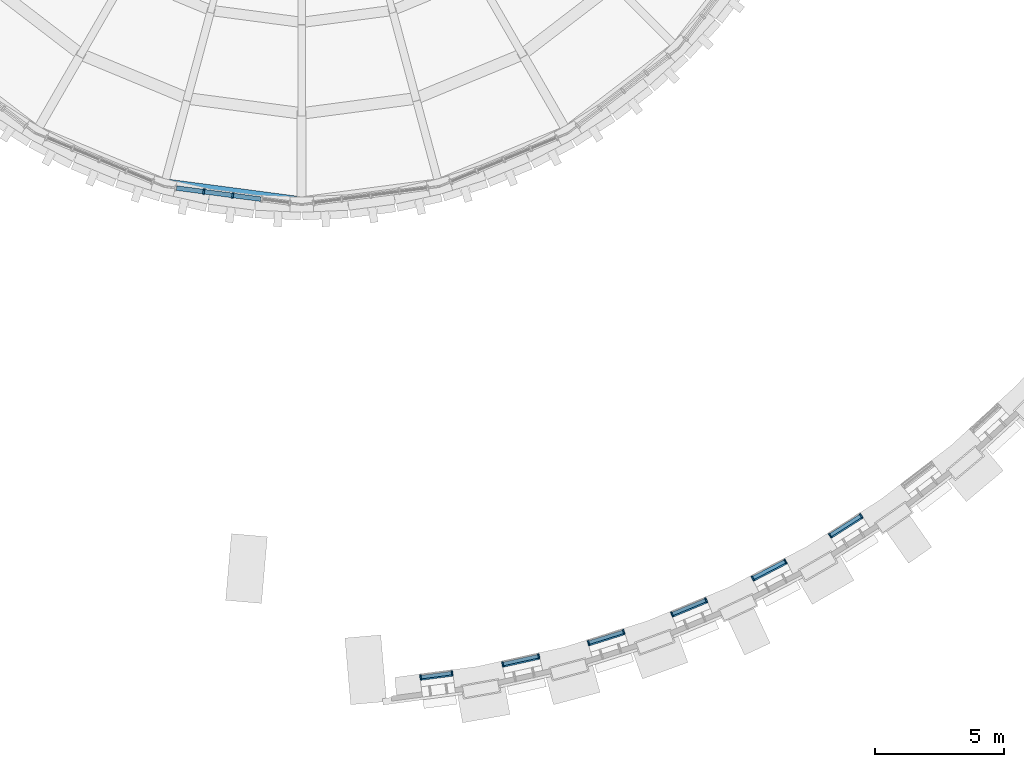
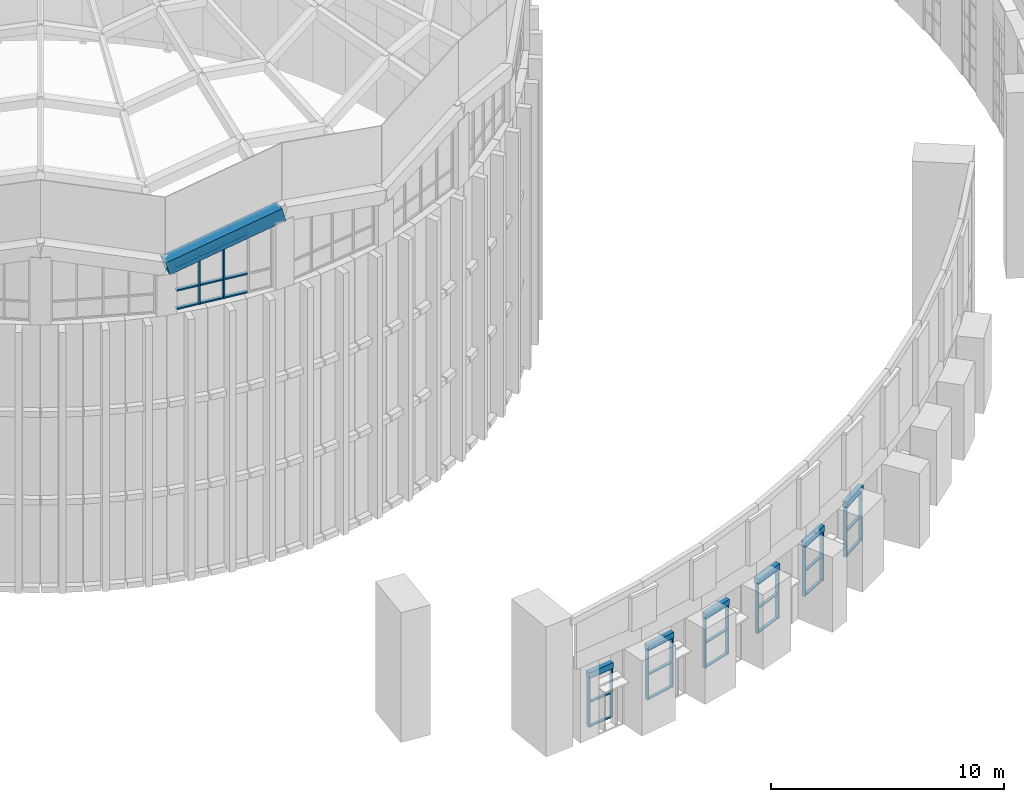
# One storey, part 5 of 82: 41 members, 7 beams, 7 elements without a shape of their own.
"""IFC4 building model written with IfcOpenShell, lengths in metres."""

from ifc_helpers import new_model, si_unit, direction, frame, origin, origin_2d, place, context, subcontext, project, spatial, rectangle, extrude, material, layer, layer_set, material_profile, profile_set, type_object, element, aggregate, save


model = new_model("IFC4")

# Units and contexts
model_context = context("Model", 3, precision=1e-05, world=origin(), true_north=direction((0.0, 1.0)))
body_context = subcontext(model_context, "Body", "Model", "MODEL_VIEW")
ifc_project = project(units=[si_unit("LENGTHUNIT", "METRE"), si_unit("AREAUNIT", "SQUARE_METRE"), si_unit("VOLUMEUNIT", "CUBIC_METRE"), si_unit("PLANEANGLEUNIT", "RADIAN"), si_unit("MASSUNIT", "GRAM", prefix="KILO")], contexts=[model_context])

# Site, building, storey
site_placement = place(None, origin())
site = spatial("IfcSite", under=ifc_project, at=site_placement, CompositionType="ELEMENT")
building_placement = place(site_placement, origin())
building = spatial("IfcBuilding", under=site, at=building_placement, Name="Volute Hill Aquarium", CompositionType="ELEMENT")
storey_placement = place(building_placement, frame((0.0, 0.0, 13.800048828125)))
storey = spatial("IfcBuildingStorey", under=building, at=storey_placement, Name="L04", CompositionType="ELEMENT", Elevation=13.800048828125)

# Curtain wall, members
ifc_material_1 = material(Name="Aluminium", Category="aluminium")
ifc_layer_1 = layer(ifc_material_1, 0.25)
ifc_layer_set_1 = layer_set([ifc_layer_1], Name="Curtain wall niche S3 module 1289")
curtain_wall_type_1 = type_object("IfcCurtainWallType", Name="Curtain wall niche S3 module 1289", PredefinedType="NOTDEFINED", material=ifc_layer_set_1)
curtain_wall_1_placement = place(storey_placement, origin())
curtain_wall_1 = element("IfcCurtainWall", 1, at=curtain_wall_1_placement, inside=storey, type_object=curtain_wall_type_1, Name="Curtain wall CW S3 L04 1", PredefinedType="NOTDEFINED")
ifc_material_2 = material(Name="Aluminium", Category="aluminium")
ifc_material_profile_1 = material_profile(ifc_material_2, rectangle(XDim=0.179931640625, YDim=0.06005859375, at=origin_2d()), Name="Curtain wall mullion S3 60x180")
ifc_profile_set_1 = profile_set([ifc_material_profile_1], Name="Aluminium")
member_type_1 = type_object("IfcMemberType", Name="Curtain wall mullion S3 60x180", PredefinedType="MULLION", material=ifc_profile_set_1)
member_1_placement = place(storey_placement, frame((4.62451171875, -39.06787109375, 0.0), z_axis=(0.0, 0.0, 1.0), x_axis=(-0.130506486875, 0.991447455432, 0.0)))
member_1 = element("IfcMember", 2, at=member_1_placement, type_object=member_type_1, Name="CW mullion 1", PredefinedType="MULLION", context=body_context, shape_type="SweptSolid", body=[
    extrude(rectangle(XDim=0.179931640625, YDim=0.06005859375, at=origin_2d()), origin(), (0.0, 0.0, 1.0), 2.59716796875),
])
member_2_placement = place(storey_placement, frame((5.843017578125, -38.907470703125, 0.0), z_axis=(0.0, 0.0, 1.0), x_axis=(-0.130506486875, 0.991447455432, 0.0)))
member_2 = element("IfcMember", 3, at=member_2_placement, type_object=member_type_1, Name="CW mullion 2", PredefinedType="MULLION", context=body_context, shape_type="SweptSolid", body=[
    extrude(rectangle(XDim=0.179931640625, YDim=0.06005859375, at=origin_2d()), origin(), (0.0, 0.0, 1.0), 2.59716796875),
])

ifc_material_3 = material(Name="Aluminium", Category="aluminium")
ifc_layer_2 = layer(ifc_material_3, 0.25)
ifc_layer_set_2 = layer_set([ifc_layer_2], Name="Curtain wall niche S3 module 1489")
curtain_wall_type_2 = type_object("IfcCurtainWallType", Name="Curtain wall niche S3 module 1489", PredefinedType="NOTDEFINED", material=ifc_layer_set_2)
curtain_wall_2_placement = place(storey_placement, origin())
curtain_wall_2 = element("IfcCurtainWall", 4, at=curtain_wall_2_placement, inside=storey, type_object=curtain_wall_type_2, Name="Curtain wall CW S3 L04 2", PredefinedType="NOTDEFINED")
member_3_placement = place(storey_placement, frame((7.81640625, -38.5595703125, 0.0), z_axis=(0.0, 0.0, 1.0), x_axis=(-0.216429178819, 0.976298320472, 0.0)))
member_3 = element("IfcMember", 5, at=member_3_placement, type_object=member_type_1, Name="CW mullion 1", PredefinedType="MULLION", context=body_context, shape_type="SweptSolid", body=[
    extrude(rectangle(XDim=0.179931640625, YDim=0.06005859375, at=origin_2d()), origin(), (0.0, 0.0, 1.0), 2.607421875),
])
member_4_placement = place(storey_placement, frame((9.211669921875, -38.250244140625, 0.0), z_axis=(0.0, 0.0, 1.0), x_axis=(-0.216429178819, 0.976298320472, 0.0)))
member_4 = element("IfcMember", 6, at=member_4_placement, type_object=member_type_1, Name="CW mullion 2", PredefinedType="MULLION", context=body_context, shape_type="SweptSolid", body=[
    extrude(rectangle(XDim=0.179931640625, YDim=0.06005859375, at=origin_2d()), origin(), (0.0, 0.0, 1.0), 2.607421875),
])

curtain_wall_3_placement = place(storey_placement, origin())
curtain_wall_3 = element("IfcCurtainWall", 7, at=curtain_wall_3_placement, inside=storey, type_object=curtain_wall_type_2, Name="Curtain wall CW S3 L04 3", PredefinedType="NOTDEFINED")
member_5_placement = place(storey_placement, frame((11.147216796875, -37.7314453125, 0.0), z_axis=(0.0, 0.0, 1.0), x_axis=(-0.300712597453, 0.953714807337, 0.0)))
member_5 = element("IfcMember", 8, at=member_5_placement, type_object=member_type_1, Name="CW mullion 1", PredefinedType="MULLION", context=body_context, shape_type="SweptSolid", body=[
    extrude(rectangle(XDim=0.179931640625, YDim=0.06005859375, at=origin_2d()), origin(), (0.0, 0.0, 1.0), 2.594970703125),
])
member_6_placement = place(storey_placement, frame((12.510498046875, -37.3017578125, 0.0), z_axis=(0.0, 0.0, 1.0), x_axis=(-0.300712597453, 0.953714807337, 0.0)))
member_6 = element("IfcMember", 9, at=member_6_placement, type_object=member_type_1, Name="CW mullion 2", PredefinedType="MULLION", context=body_context, shape_type="SweptSolid", body=[
    extrude(rectangle(XDim=0.179931640625, YDim=0.06005859375, at=origin_2d()), origin(), (0.0, 0.0, 1.0), 2.594970703125),
])

curtain_wall_4_placement = place(storey_placement, origin())
curtain_wall_4 = element("IfcCurtainWall", 10, at=curtain_wall_4_placement, inside=storey, type_object=curtain_wall_type_2, Name="Curtain wall CW S3 L04 4", PredefinedType="NOTDEFINED")
member_7_placement = place(storey_placement, frame((14.3935546875, -36.6162109375, 0.0), z_axis=(0.0, 0.0, 1.0), x_axis=(-0.382692594649, 0.923875737316, 0.0)))
member_7 = element("IfcMember", 11, at=member_7_placement, type_object=member_type_1, Name="CW mullion 1", PredefinedType="MULLION", context=body_context, shape_type="SweptSolid", body=[
    extrude(rectangle(XDim=0.179931640625, YDim=0.06005859375, at=origin_2d()), origin(), (0.0, 0.0, 1.0), 2.594970703125),
])
member_8_placement = place(storey_placement, frame((15.7138671875, -36.0693359375, 0.0), z_axis=(0.0, 0.0, 1.0), x_axis=(-0.382692594649, 0.923875737316, 0.0)))
member_8 = element("IfcMember", 12, at=member_8_placement, type_object=member_type_1, Name="CW mullion 2", PredefinedType="MULLION", context=body_context, shape_type="SweptSolid", body=[
    extrude(rectangle(XDim=0.179931640625, YDim=0.06005859375, at=origin_2d()), origin(), (0.0, 0.0, 1.0), 2.594970703125),
])

curtain_wall_5_placement = place(storey_placement, origin())
curtain_wall_5 = element("IfcCurtainWall", 13, at=curtain_wall_5_placement, inside=storey, type_object=curtain_wall_type_2, Name="Curtain wall CW S3 L04 5", PredefinedType="NOTDEFINED")
member_9_placement = place(storey_placement, frame((17.530029296875, -35.222412109375, 0.0), z_axis=(0.0, 0.0, 1.0), x_axis=(-0.461744254001, 0.887013102438, 0.0)))
member_9 = element("IfcMember", 14, at=member_9_placement, type_object=member_type_1, Name="CW mullion 1", PredefinedType="MULLION", context=body_context, shape_type="SweptSolid", body=[
    extrude(rectangle(XDim=0.179931640625, YDim=0.06005859375, at=origin_2d()), origin(), (0.0, 0.0, 1.0), 2.594970703125),
])
member_10_placement = place(storey_placement, frame((18.797607421875, -34.5625, 0.0), z_axis=(0.0, 0.0, 1.0), x_axis=(-0.461744254001, 0.887013102438, 0.0)))
member_10 = element("IfcMember", 15, at=member_10_placement, type_object=member_type_1, Name="CW mullion 2", PredefinedType="MULLION", context=body_context, shape_type="SweptSolid", body=[
    extrude(rectangle(XDim=0.179931640625, YDim=0.06005859375, at=origin_2d()), origin(), (0.0, 0.0, 1.0), 2.594970703125),
])

curtain_wall_6_placement = place(storey_placement, origin())
curtain_wall_6 = element("IfcCurtainWall", 16, at=curtain_wall_6_placement, inside=storey, type_object=curtain_wall_type_2, Name="Curtain wall CW S3 L04 6", PredefinedType="NOTDEFINED")
member_11_placement = place(storey_placement, frame((20.533203125, -33.560546875, 0.0), z_axis=(0.0, 0.0, 1.0), x_axis=(-0.53730730935, 0.843386539683, 0.0)))
member_11 = element("IfcMember", 17, at=member_11_placement, type_object=member_type_1, Name="CW mullion 1", PredefinedType="MULLION", context=body_context, shape_type="SweptSolid", body=[
    extrude(rectangle(XDim=0.179931640625, YDim=0.06005859375, at=origin_2d()), origin(), (0.0, 0.0, 1.0), 2.594970703125),
])
member_12_placement = place(storey_placement, frame((21.738525390625, -32.792724609375, 0.0), z_axis=(0.0, 0.0, 1.0), x_axis=(-0.53730730935, 0.843386539683, 0.0)))
member_12 = element("IfcMember", 18, at=member_12_placement, type_object=member_type_1, Name="CW mullion 2", PredefinedType="MULLION", context=body_context, shape_type="SweptSolid", body=[
    extrude(rectangle(XDim=0.179931640625, YDim=0.06005859375, at=origin_2d()), origin(), (0.0, 0.0, 1.0), 2.594970703125),
])

ifc_material_4 = material(Name="Aluminium", Category="aluminium")
ifc_layer_3 = layer(ifc_material_4, 0.219970703125)
ifc_layer_set_3 = layer_set([ifc_layer_3], Name="Curtain wall DR clerestory module 1134")
curtain_wall_type_3 = type_object("IfcCurtainWallType", Name="Curtain wall DR clerestory module 1134", PredefinedType="NOTDEFINED", material=ifc_layer_set_3)
curtain_wall_7_placement = place(storey_placement, origin())
curtain_wall_7 = element("IfcCurtainWall", 19, at=curtain_wall_7_placement, inside=storey, type_object=curtain_wall_type_3, Name="Curtain wall CW DR clerestory c17", PredefinedType="NOTDEFINED")
ifc_material_5 = material(Name="Aluminium", Category="aluminium")
ifc_material_profile_2 = material_profile(ifc_material_5, rectangle(XDim=0.219970703125, YDim=0.070068359375, at=origin_2d()), Name="Curtain wall mullion clerestory 70x220")
ifc_profile_set_2 = profile_set([ifc_material_profile_2], Name="Aluminium")
member_type_2 = type_object("IfcMemberType", Name="Curtain wall mullion clerestory 70x220", PredefinedType="MULLION", material=ifc_profile_set_2)
member_13_placement = place(storey_placement, frame((-3.80322265625, -20.19921875, 13.699951171875), z_axis=(0.0, 0.0, 1.0), x_axis=(0.130518657667, 0.991445853287, 0.0)))
member_13 = element("IfcMember", 20, at=member_13_placement, type_object=member_type_2, Name="Mullion DR clerestory 2", PredefinedType="MULLION", context=body_context, shape_type="SweptSolid", body=[
    extrude(rectangle(XDim=0.219970703125, YDim=0.070068359375, at=origin_2d()), origin(), (0.0, 0.0, 1.0), 2.533447265625),
])
member_14_placement = place(storey_placement, frame((-2.6787109375, -20.347412109375, 13.699951171875), z_axis=(0.0, 0.0, 1.0), x_axis=(0.130518657667, 0.991445853287, 0.0)))
member_14 = element("IfcMember", 21, at=member_14_placement, type_object=member_type_2, Name="Mullion DR clerestory 3", PredefinedType="MULLION", context=body_context, shape_type="SweptSolid", body=[
    extrude(rectangle(XDim=0.219970703125, YDim=0.070068359375, at=origin_2d()), origin(), (0.0, 0.0, 1.0), 2.827392578125),
])

# Member
ifc_material_6 = material(Name="Aluminium", Category="aluminium")
ifc_material_profile_3 = material_profile(ifc_material_6, rectangle(XDim=0.139892578125, YDim=0.06005859375, at=origin_2d()), Name="Curtain wall transom S3 60x140")
ifc_profile_set_3 = profile_set([ifc_material_profile_3], Name="Aluminium")
member_type_3 = type_object("IfcMemberType", Name="Curtain wall transom S3 60x140", PredefinedType="USERDEFINED", material=ifc_profile_set_3)
member_15_placement = place(storey_placement, frame((4.654296875, -39.06396484375, 0.030029296875), z_axis=(0.991443629013, 0.130535552588, 0.0), x_axis=(-0.130535552588, 0.991443629013, 0.0)))
member_15 = element("IfcMember", 22, at=member_15_placement, type_object=member_type_3, Name="CW transom 1.1", ObjectType="TRANSOM", PredefinedType="USERDEFINED", context=body_context, shape_type="SweptSolid", body=[
    extrude(rectangle(XDim=0.139892578125, YDim=0.06005859375, at=origin_2d()), origin(), (0.0, 0.0, 1.0), 1.1689453125),
])

member_16_placement = place(storey_placement, frame((4.654296875, -39.06396484375, 1.298583984375), z_axis=(0.991443629013, 0.130535552588, 0.0), x_axis=(-0.130535552588, 0.991443629013, 0.0)))
member_16 = element("IfcMember", 23, at=member_16_placement, type_object=member_type_3, Name="CW transom 1.2", ObjectType="TRANSOM", PredefinedType="USERDEFINED", context=body_context, shape_type="SweptSolid", body=[
    extrude(rectangle(XDim=0.139892578125, YDim=0.06005859375, at=origin_2d()), origin(), (0.0, 0.0, 1.0), 1.1689453125),
])

member_17_placement = place(storey_placement, frame((4.654296875, -39.06396484375, 2.567138671875), z_axis=(0.991443629013, 0.130535552588, 0.0), x_axis=(-0.130535552588, 0.991443629013, 0.0)))
member_17 = element("IfcMember", 24, at=member_17_placement, type_object=member_type_3, Name="CW transom 1.3", ObjectType="TRANSOM", PredefinedType="USERDEFINED", context=body_context, shape_type="SweptSolid", body=[
    extrude(rectangle(XDim=0.139892578125, YDim=0.06005859375, at=origin_2d()), origin(), (0.0, 0.0, 1.0), 1.1689453125),
])

aggregate(curtain_wall_1, [member_1, member_2, member_15, member_16, member_17])

member_18_placement = place(storey_placement, frame((7.845703125, -38.552978515625, 0.030029296875), z_axis=(0.976287651886, 0.216477298519, 0.0), x_axis=(-0.216477298519, 0.976287651886, 0.0)))
member_18 = element("IfcMember", 25, at=member_18_placement, type_object=member_type_3, Name="CW transom 1.1", ObjectType="TRANSOM", PredefinedType="USERDEFINED", context=body_context, shape_type="SweptSolid", body=[
    extrude(rectangle(XDim=0.139892578125, YDim=0.06005859375, at=origin_2d()), origin(), (0.0, 0.0, 1.0), 1.369140625),
])

member_19_placement = place(storey_placement, frame((7.845703125, -38.552978515625, 1.3037109375), z_axis=(0.976287651886, 0.216477298519, 0.0), x_axis=(-0.216477298519, 0.976287651886, 0.0)))
member_19 = element("IfcMember", 26, at=member_19_placement, type_object=member_type_3, Name="CW transom 1.2", ObjectType="TRANSOM", PredefinedType="USERDEFINED", context=body_context, shape_type="SweptSolid", body=[
    extrude(rectangle(XDim=0.139892578125, YDim=0.06005859375, at=origin_2d()), origin(), (0.0, 0.0, 1.0), 1.369140625),
])

member_20_placement = place(storey_placement, frame((7.845703125, -38.552978515625, 2.577392578125), z_axis=(0.976287651886, 0.216477298519, 0.0), x_axis=(-0.216477298519, 0.976287651886, 0.0)))
member_20 = element("IfcMember", 27, at=member_20_placement, type_object=member_type_3, Name="CW transom 1.3", ObjectType="TRANSOM", PredefinedType="USERDEFINED", context=body_context, shape_type="SweptSolid", body=[
    extrude(rectangle(XDim=0.139892578125, YDim=0.06005859375, at=origin_2d()), origin(), (0.0, 0.0, 1.0), 1.369140625),
])

aggregate(curtain_wall_2, [member_3, member_4, member_18, member_19, member_20])

member_21_placement = place(storey_placement, frame((11.176025390625, -37.722412109375, 0.030029296875), z_axis=(0.953728095538, 0.300670450463, 0.0), x_axis=(-0.300670450463, 0.953728095538, 0.0)))
member_21 = element("IfcMember", 28, at=member_21_placement, type_object=member_type_3, Name="CW transom 1.1", ObjectType="TRANSOM", PredefinedType="USERDEFINED", context=body_context, shape_type="SweptSolid", body=[
    extrude(rectangle(XDim=0.139892578125, YDim=0.06005859375, at=origin_2d()), origin(), (0.0, 0.0, 1.0), 1.368896484375),
])

member_22_placement = place(storey_placement, frame((11.176025390625, -37.722412109375, 1.29736328125), z_axis=(0.953728095538, 0.300670450463, 0.0), x_axis=(-0.300670450463, 0.953728095538, 0.0)))
member_22 = element("IfcMember", 29, at=member_22_placement, type_object=member_type_3, Name="CW transom 1.2", ObjectType="TRANSOM", PredefinedType="USERDEFINED", context=body_context, shape_type="SweptSolid", body=[
    extrude(rectangle(XDim=0.139892578125, YDim=0.06005859375, at=origin_2d()), origin(), (0.0, 0.0, 1.0), 1.368896484375),
])

member_23_placement = place(storey_placement, frame((11.176025390625, -37.722412109375, 2.56494140625), z_axis=(0.953728095538, 0.300670450463, 0.0), x_axis=(-0.300670450463, 0.953728095538, 0.0)))
member_23 = element("IfcMember", 30, at=member_23_placement, type_object=member_type_3, Name="CW transom 1.3", ObjectType="TRANSOM", PredefinedType="USERDEFINED", context=body_context, shape_type="SweptSolid", body=[
    extrude(rectangle(XDim=0.139892578125, YDim=0.06005859375, at=origin_2d()), origin(), (0.0, 0.0, 1.0), 1.368896484375),
])

aggregate(curtain_wall_3, [member_5, member_6, member_21, member_22, member_23])

member_24_placement = place(storey_placement, frame((14.421142578125, -36.604736328125, 0.030029296875), z_axis=(0.923908190995, 0.382614237336, 0.0), x_axis=(-0.382614237336, 0.923908190995, 0.0)))
member_24 = element("IfcMember", 31, at=member_24_placement, type_object=member_type_3, Name="CW transom 1.1", ObjectType="TRANSOM", PredefinedType="USERDEFINED", context=body_context, shape_type="SweptSolid", body=[
    extrude(rectangle(XDim=0.139892578125, YDim=0.06005859375, at=origin_2d()), origin(), (0.0, 0.0, 1.0), 1.369384765625),
])

member_25_placement = place(storey_placement, frame((14.421142578125, -36.604736328125, 1.29736328125), z_axis=(0.923908190995, 0.382614237336, 0.0), x_axis=(-0.382614237336, 0.923908190995, 0.0)))
member_25 = element("IfcMember", 32, at=member_25_placement, type_object=member_type_3, Name="CW transom 1.2", ObjectType="TRANSOM", PredefinedType="USERDEFINED", context=body_context, shape_type="SweptSolid", body=[
    extrude(rectangle(XDim=0.139892578125, YDim=0.06005859375, at=origin_2d()), origin(), (0.0, 0.0, 1.0), 1.369384765625),
])

member_26_placement = place(storey_placement, frame((14.421142578125, -36.604736328125, 2.56494140625), z_axis=(0.923908190995, 0.382614237336, 0.0), x_axis=(-0.382614237336, 0.923908190995, 0.0)))
member_26 = element("IfcMember", 33, at=member_26_placement, type_object=member_type_3, Name="CW transom 1.3", ObjectType="TRANSOM", PredefinedType="USERDEFINED", context=body_context, shape_type="SweptSolid", body=[
    extrude(rectangle(XDim=0.139892578125, YDim=0.06005859375, at=origin_2d()), origin(), (0.0, 0.0, 1.0), 1.369384765625),
])

aggregate(curtain_wall_4, [member_7, member_8, member_24, member_25, member_26])

member_27_placement = place(storey_placement, frame((17.556640625, -35.208740234375, 0.030029296875), z_axis=(0.886959740266, 0.46184674855, 0.0), x_axis=(-0.46184674855, 0.886959740266, 0.0)))
member_27 = element("IfcMember", 34, at=member_27_placement, type_object=member_type_3, Name="CW transom 1.1", ObjectType="TRANSOM", PredefinedType="USERDEFINED", context=body_context, shape_type="SweptSolid", body=[
    extrude(rectangle(XDim=0.139892578125, YDim=0.06005859375, at=origin_2d()), origin(), (0.0, 0.0, 1.0), 1.369140625),
])

member_28_placement = place(storey_placement, frame((17.556640625, -35.208740234375, 1.29736328125), z_axis=(0.886959740266, 0.46184674855, 0.0), x_axis=(-0.46184674855, 0.886959740266, 0.0)))
member_28 = element("IfcMember", 35, at=member_28_placement, type_object=member_type_3, Name="CW transom 1.2", ObjectType="TRANSOM", PredefinedType="USERDEFINED", context=body_context, shape_type="SweptSolid", body=[
    extrude(rectangle(XDim=0.139892578125, YDim=0.06005859375, at=origin_2d()), origin(), (0.0, 0.0, 1.0), 1.369140625),
])

member_29_placement = place(storey_placement, frame((17.556640625, -35.208740234375, 2.56494140625), z_axis=(0.886959740266, 0.46184674855, 0.0), x_axis=(-0.46184674855, 0.886959740266, 0.0)))
member_29 = element("IfcMember", 36, at=member_29_placement, type_object=member_type_3, Name="CW transom 1.3", ObjectType="TRANSOM", PredefinedType="USERDEFINED", context=body_context, shape_type="SweptSolid", body=[
    extrude(rectangle(XDim=0.139892578125, YDim=0.06005859375, at=origin_2d()), origin(), (0.0, 0.0, 1.0), 1.369140625),
])

aggregate(curtain_wall_5, [member_9, member_10, member_27, member_28, member_29])

member_30_placement = place(storey_placement, frame((20.558349609375, -33.54443359375, 0.030029296875), z_axis=(0.843419106312, 0.537256187594, 0.0), x_axis=(-0.537256187594, 0.843419106312, 0.0)))
member_30 = element("IfcMember", 37, at=member_30_placement, type_object=member_type_3, Name="CW transom 1.1", ObjectType="TRANSOM", PredefinedType="USERDEFINED", context=body_context, shape_type="SweptSolid", body=[
    extrude(rectangle(XDim=0.139892578125, YDim=0.06005859375, at=origin_2d()), origin(), (0.0, 0.0, 1.0), 1.369140625),
])

member_31_placement = place(storey_placement, frame((20.558349609375, -33.54443359375, 1.29736328125), z_axis=(0.843419106312, 0.537256187594, 0.0), x_axis=(-0.537256187594, 0.843419106312, 0.0)))
member_31 = element("IfcMember", 38, at=member_31_placement, type_object=member_type_3, Name="CW transom 1.2", ObjectType="TRANSOM", PredefinedType="USERDEFINED", context=body_context, shape_type="SweptSolid", body=[
    extrude(rectangle(XDim=0.139892578125, YDim=0.06005859375, at=origin_2d()), origin(), (0.0, 0.0, 1.0), 1.369140625),
])

member_32_placement = place(storey_placement, frame((20.558349609375, -33.54443359375, 2.56494140625), z_axis=(0.843419106312, 0.537256187594, 0.0), x_axis=(-0.537256187594, 0.843419106312, 0.0)))
member_32 = element("IfcMember", 39, at=member_32_placement, type_object=member_type_3, Name="CW transom 1.3", ObjectType="TRANSOM", PredefinedType="USERDEFINED", context=body_context, shape_type="SweptSolid", body=[
    extrude(rectangle(XDim=0.139892578125, YDim=0.06005859375, at=origin_2d()), origin(), (0.0, 0.0, 1.0), 1.369140625),
])

aggregate(curtain_wall_6, [member_11, member_12, member_30, member_31, member_32])

ifc_material_7 = material(Name="Aluminium", Category="aluminium")
ifc_material_profile_4 = material_profile(ifc_material_7, rectangle(XDim=0.179931640625, YDim=0.070068359375, at=origin_2d()), Name="Curtain wall transom clerestory 70x180")
ifc_profile_set_4 = profile_set([ifc_material_profile_4], Name="Aluminium")
member_type_4 = type_object("IfcMemberType", Name="Curtain wall transom clerestory 70x180", PredefinedType="USERDEFINED", material=ifc_profile_set_4)
member_33_placement = place(storey_placement, frame((-4.85791015625, -20.060546875, 13.73486328125), z_axis=(0.991446216664, -0.130515897359, 0.0), x_axis=(0.130515897359, 0.991446216664, 0.0)))
member_33 = element("IfcMember", 40, at=member_33_placement, type_object=member_type_4, Name="Transom DR clerestory 1.1", ObjectType="TRANSOM", PredefinedType="USERDEFINED", context=body_context, shape_type="SweptSolid", body=[
    extrude(rectangle(XDim=0.179931640625, YDim=0.070068359375, at=origin_2d()), origin(), (0.0, 0.0, 1.0), 1.02880859375),
])

member_34_placement = place(storey_placement, frame((-4.85791015625, -20.060546875, 14.699951171875), z_axis=(0.991446216664, -0.130515897359, 0.0), x_axis=(0.130515897359, 0.991446216664, 0.0)))
member_34 = element("IfcMember", 41, at=member_34_placement, type_object=member_type_4, Name="Transom DR clerestory 1.2", ObjectType="TRANSOM", PredefinedType="USERDEFINED", context=body_context, shape_type="SweptSolid", body=[
    extrude(rectangle(XDim=0.179931640625, YDim=0.070068359375, at=origin_2d()), origin(), (0.0, 0.0, 1.0), 1.02880859375),
])

member_35_placement = place(storey_placement, frame((-4.85791015625, -20.060546875, 15.9228515625), z_axis=(0.959746204329, -0.126342846429, 0.250847978728), x_axis=(0.130515897359, 0.991446216664, 0.0)))
member_35 = element("IfcMember", 42, at=member_35_placement, type_object=member_type_4, Name="Head member DR clerestory 1", ObjectType="TRANSOM", PredefinedType="USERDEFINED", context=body_context, shape_type="SweptSolid", body=[
    extrude(rectangle(XDim=0.179931640625, YDim=0.070068359375, at=origin_2d()), origin(), (0.0, 0.0, 1.0), 1.062744140625),
])

member_36_placement = place(storey_placement, frame((-3.768310546875, -20.203857421875, 13.73486328125), z_axis=(0.991441014026, -0.1305554124, 0.0), x_axis=(0.1305554124, 0.991441014026, 0.0)))
member_36 = element("IfcMember", 43, at=member_36_placement, type_object=member_type_4, Name="Transom DR clerestory 2.1", ObjectType="TRANSOM", PredefinedType="USERDEFINED", context=body_context, shape_type="SweptSolid", body=[
    extrude(rectangle(XDim=0.179931640625, YDim=0.070068359375, at=origin_2d()), origin(), (0.0, 0.0, 1.0), 1.06396484375),
])

member_37_placement = place(storey_placement, frame((-3.768310546875, -20.203857421875, 14.699951171875), z_axis=(0.991441014026, -0.1305554124, 0.0), x_axis=(0.1305554124, 0.991441014026, 0.0)))
member_37 = element("IfcMember", 44, at=member_37_placement, type_object=member_type_4, Name="Transom DR clerestory 2.2", ObjectType="TRANSOM", PredefinedType="USERDEFINED", context=body_context, shape_type="SweptSolid", body=[
    extrude(rectangle(XDim=0.179931640625, YDim=0.070068359375, at=origin_2d()), origin(), (0.0, 0.0, 1.0), 1.06396484375),
])

member_38_placement = place(storey_placement, frame((-3.768310546875, -20.203857421875, 16.20751953125), z_axis=(0.959761576118, -0.126383785423, 0.250768530302), x_axis=(0.1305554124, 0.991441014026, 0.0)))
member_38 = element("IfcMember", 45, at=member_38_placement, type_object=member_type_4, Name="Head member DR clerestory 2", ObjectType="TRANSOM", PredefinedType="USERDEFINED", context=body_context, shape_type="SweptSolid", body=[
    extrude(rectangle(XDim=0.179931640625, YDim=0.070068359375, at=origin_2d()), origin(), (0.0, 0.0, 1.0), 1.09912109375),
])

member_39_placement = place(storey_placement, frame((-2.64404296875, -20.351806640625, 13.73486328125), z_axis=(0.991441014026, -0.1305554124, 0.0), x_axis=(0.1305554124, 0.991441014026, 0.0)))
member_39 = element("IfcMember", 46, at=member_39_placement, type_object=member_type_4, Name="Transom DR clerestory 3.1", ObjectType="TRANSOM", PredefinedType="USERDEFINED", context=body_context, shape_type="SweptSolid", body=[
    extrude(rectangle(XDim=0.179931640625, YDim=0.070068359375, at=origin_2d()), origin(), (0.0, 0.0, 1.0), 1.06396484375),
])

member_40_placement = place(storey_placement, frame((-2.64404296875, -20.351806640625, 14.699951171875), z_axis=(0.991441014026, -0.1305554124, 0.0), x_axis=(0.1305554124, 0.991441014026, 0.0)))
member_40 = element("IfcMember", 47, at=member_40_placement, type_object=member_type_4, Name="Transom DR clerestory 3.2", ObjectType="TRANSOM", PredefinedType="USERDEFINED", context=body_context, shape_type="SweptSolid", body=[
    extrude(rectangle(XDim=0.179931640625, YDim=0.070068359375, at=origin_2d()), origin(), (0.0, 0.0, 1.0), 1.06396484375),
])

member_41_placement = place(storey_placement, frame((-2.64404296875, -20.351806640625, 16.501220703125), z_axis=(0.959708098571, -0.126376743366, 0.250976660816), x_axis=(0.1305554124, 0.991441014026, 0.0)))
member_41 = element("IfcMember", 48, at=member_41_placement, type_object=member_type_4, Name="Head member DR clerestory 3", ObjectType="TRANSOM", PredefinedType="USERDEFINED", context=body_context, shape_type="SweptSolid", body=[
    extrude(rectangle(XDim=0.179931640625, YDim=0.070068359375, at=origin_2d()), origin(), (0.0, 0.0, 1.0), 1.09912109375),
])

aggregate(curtain_wall_7, [member_13, member_14, member_33, member_34, member_35, member_36, member_37, member_38, member_39, member_40, member_41])

# Beams
ifc_material_8 = material(Name="Concrete C40/50", Category="concrete")
ifc_material_profile_5 = material_profile(ifc_material_8, rectangle(XDim=0.60009765625, YDim=0.699951171875, at=origin_2d()), Name="RC beam 600x700")
ifc_profile_set_5 = profile_set([ifc_material_profile_5], Name="Concrete C40/50")
beam_type_1 = type_object("IfcBeamType", Name="Dome shell eave ring beam 600x700", PredefinedType="BEAM", material=ifc_profile_set_5)
beam_1_placement = place(storey_placement, frame((-5.357666015625, -19.99462890625, 16.1162109375), z_axis=(0.959763944084, -0.126350331942, 0.250776325148), x_axis=(0.130521126954, 0.991445528216, 0.0)))
element("IfcBeam", 49, at=beam_1_placement, inside=storey, type_object=beam_type_1, Name="rb/DR/L04/eave.17", PredefinedType="BEAM", context=body_context, shape_type="SweptSolid", body=[
    extrude(rectangle(XDim=0.60009765625, YDim=0.699951171875, at=origin_2d()), origin(), (0.0, 0.0, 1.0), 5.582275390625),
])
ifc_material_9 = material(Name="Concrete C35/45", Category="concrete")
ifc_material_profile_6 = material_profile(ifc_material_9, rectangle(XDim=0.25, YDim=0.300048828125, at=origin_2d()), Name="RC beam 250x300")
ifc_profile_set_6 = profile_set([ifc_material_profile_6], Name="Concrete C35/45")
beam_type_2 = type_object("IfcBeamType", Name="Niche head beam RC 250x300 C35/45", PredefinedType="BEAM", material=ifc_profile_set_6)
beam_2_placement = place(storey_placement, frame((4.5947265625, -39.07177734375, 2.7470703125), z_axis=(0.991449782625, 0.130488806156, 0.0), x_axis=(-0.130488806156, 0.991449782625, 0.0)))
element("IfcBeam", 50, at=beam_2_placement, inside=storey, type_object=beam_type_2, Name="Niche head beam OWB S3 L04 1", PredefinedType="BEAM", context=body_context, shape_type="SweptSolid", body=[
    extrude(rectangle(XDim=0.25, YDim=0.300048828125, at=origin_2d()), origin(), (0.0, 0.0, 1.0), 1.2890625),
])
for number, where, z_axis, x_axis, name in (
    (51, (7.787109375, -38.56591796875, 2.75732421875), (0.976302648363, 0.216409655053, 0.0), (-0.216409655053, 0.976302648363, 0.0), "Niche head beam OWB S3 L04 2"),
    (52, (11.11865234375, -37.740478515625, 2.744873046875), (0.953736146643, 0.300644911128, 0.0), (-0.300644911128, 0.953736146643, 0.0), "Niche head beam OWB S3 L04 3"),
    (53, (14.36572265625, -36.627685546875, 2.744873046875), (0.923908951424, 0.382612401104, 0.0), (-0.382612401104, 0.923908951424, 0.0), "Niche head beam OWB S3 L04 4"),
):
    element("IfcBeam", number, at=place(storey_placement, frame(where, z_axis=z_axis, x_axis=x_axis)), inside=storey, type_object=beam_type_2, Name=name, PredefinedType="BEAM", context=body_context, shape_type="SweptSolid", body=[
        extrude(rectangle(XDim=0.25, YDim=0.300048828125, at=origin_2d()), origin(), (0.0, 0.0, 1.0), 1.4892578125),
    ])
beam_3_placement = place(storey_placement, frame((17.50341796875, -35.236328125, 2.744873046875), z_axis=(0.88702881268, 0.461714073291, 0.0), x_axis=(-0.461714073291, 0.88702881268, 0.0)))
element("IfcBeam", 54, at=beam_3_placement, inside=storey, type_object=beam_type_2, Name="Niche head beam OWB S3 L04 5", PredefinedType="BEAM", context=body_context, shape_type="SweptSolid", body=[
    extrude(rectangle(XDim=0.25, YDim=0.300048828125, at=origin_2d()), origin(), (0.0, 0.0, 1.0), 1.489013671875),
])
beam_4_placement = place(storey_placement, frame((20.5078125, -33.57666015625, 2.744873046875), z_axis=(0.843445411017, 0.537214890555, 0.0), x_axis=(-0.537214890555, 0.843445411017, 0.0)))
element("IfcBeam", 55, at=beam_4_placement, inside=storey, type_object=beam_type_2, Name="Niche head beam OWB S3 L04 6", PredefinedType="BEAM", context=body_context, shape_type="SweptSolid", body=[
    extrude(rectangle(XDim=0.25, YDim=0.300048828125, at=origin_2d()), origin(), (0.0, 0.0, 1.0), 1.4892578125),
])

save(model, "model.ifc")
